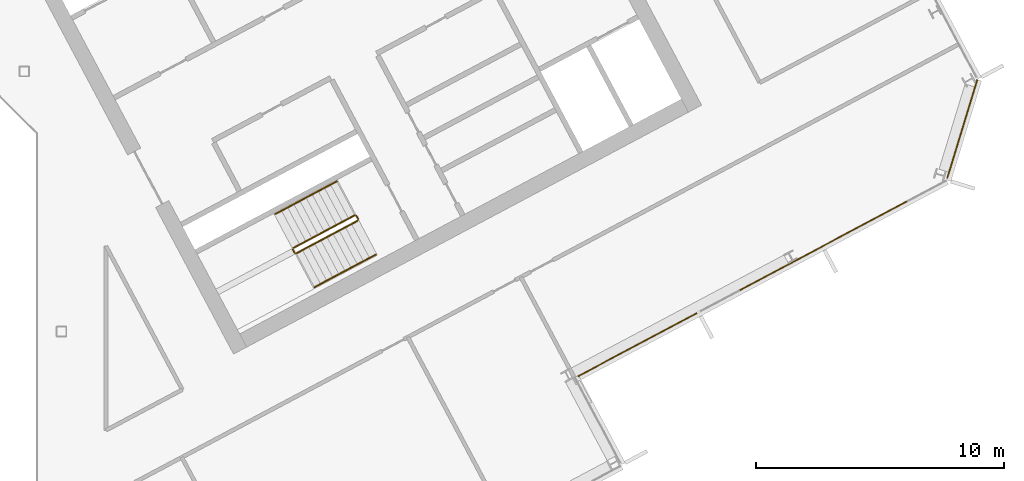
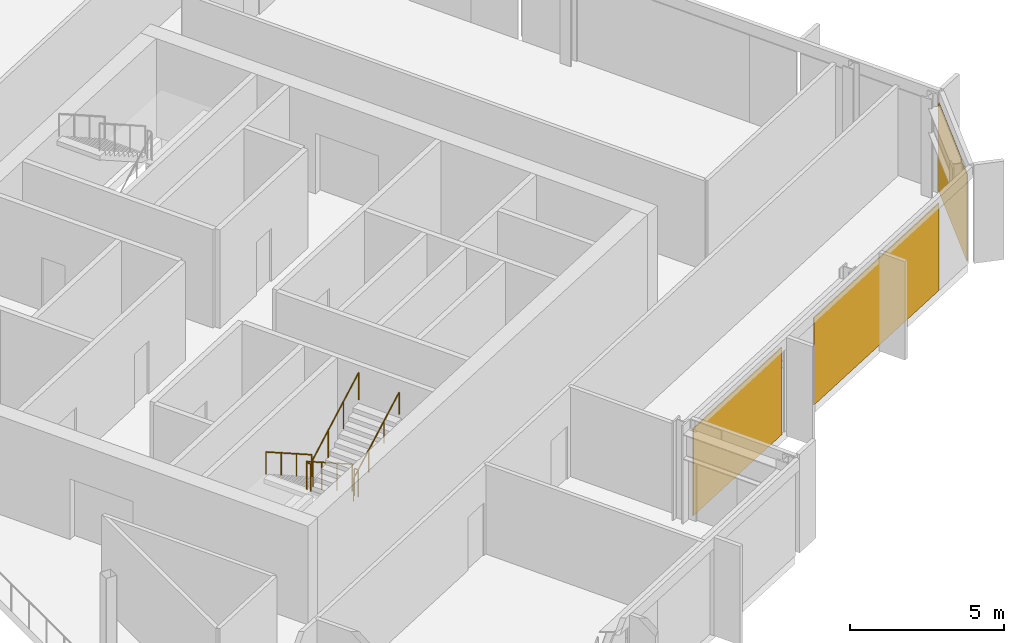
# One storey, part 25 of 27: 6 railings, 3 coverings, 2 elements without a shape of their own.
"""IFC4 building model written with IfcOpenShell, lengths in metres."""

from ifc_helpers import new_model, si_unit, direction, frame, origin, origin_2d, place, context, subcontext, project, spatial, polyline, rectangle, outline, extrude, material, layer, layer_set, type_object, element, aggregate, save


model = new_model("IFC4")

# Units and contexts
model_context = context("Model", 3, precision=1e-05, world=origin(), true_north=direction((0.0, 1.0)))
body_context = subcontext(model_context, "Body", "Model", "MODEL_VIEW")
ifc_project = project(units=[si_unit("LENGTHUNIT", "METRE"), si_unit("AREAUNIT", "SQUARE_METRE"), si_unit("VOLUMEUNIT", "CUBIC_METRE"), si_unit("PLANEANGLEUNIT", "RADIAN"), si_unit("MASSUNIT", "GRAM", prefix="KILO")], contexts=[model_context])

# Site, building, storey
site_placement = place(None, origin())
site = spatial("IfcSite", under=ifc_project, at=site_placement, CompositionType="ELEMENT")
building_placement = place(site_placement, origin())
building = spatial("IfcBuilding", under=site, at=building_placement, Name="Cormorant Relay Tower", CompositionType="ELEMENT")
storey_placement = place(building_placement, frame((0.0, 0.0, 201.300048828125)))
storey = spatial("IfcBuildingStorey", under=building, at=storey_placement, Name="L43", CompositionType="ELEMENT", Elevation=201.300048828125)

# Curtain wall, coverings
ifc_material_1 = material(Name="Aluminium 6063-T6 anodised bronze", Category="aluminium")
ifc_layer_1 = layer(ifc_material_1, 0.199951171875)
ifc_layer_set_1 = layer_set([ifc_layer_1], Name="CW1 unitised bronze curtain wall with vertical fins")
curtain_wall_type = type_object("IfcCurtainWallType", Name="CW1 unitised bronze curtain wall with vertical fins", PredefinedType="NOTDEFINED", material=ifc_layer_set_1)
curtain_wall_1_placement = place(storey_placement, origin())
curtain_wall_1 = element("IfcCurtainWall", 1, at=curtain_wall_1_placement, inside=storey, type_object=curtain_wall_type, Name="CW1 curtain wall 4", PredefinedType="NOTDEFINED")
ifc_material_2 = material(Name="Pale bronze anodised aluminium insulated panel", Category="aluminium")
ifc_layer_2 = layer(ifc_material_2, 0.0400390625)
ifc_layer_set_2 = layer_set([ifc_layer_2], Name="CW1 pale bronze insulated panel 40")
covering_type = type_object("IfcCoveringType", Name="CW1 pale bronze insulated panel 40", PredefinedType="CLADDING", material=ifc_layer_set_2)
covering_1_placement = place(storey_placement, frame((35.247802734375, -0.534912109375, 0.0), z_axis=(0.0, 0.0, 1.0), x_axis=(0.882947592859, 0.469471562786, 0.0)))
covering_1 = element("IfcCovering", 2, at=covering_1_placement, type_object=covering_type, Name="CW1 panel S00", PredefinedType="CLADDING", context=body_context, shape_type="SweptSolid", body=[
    extrude(rectangle(XDim=5.441650390625, YDim=0.0400390625, at=origin_2d()), origin(), (0.0, 0.0, 1.0), 3.449951171875),
])
covering_2_placement = place(storey_placement, frame((42.752685546875, 3.455810546875, 0.0), z_axis=(0.0, 0.0, 1.0), x_axis=(0.882947592859, 0.469471562786, 0.0)))
covering_2 = element("IfcCovering", 3, at=covering_2_placement, type_object=covering_type, Name="CW1 panel S02", PredefinedType="CLADDING", context=body_context, shape_type="SweptSolid", body=[
    extrude(rectangle(XDim=7.658203125, YDim=0.0400390625, at=origin_2d()), origin(), (0.0, 0.0, 1.0), 3.449951171875),
])
aggregate(curtain_wall_1, [covering_1, covering_2])

# Curtain wall, covering
curtain_wall_2_placement = place(storey_placement, origin())
curtain_wall_2 = element("IfcCurtainWall", 4, at=curtain_wall_2_placement, inside=storey, type_object=curtain_wall_type, Name="CW1 curtain wall 5", PredefinedType="NOTDEFINED")
covering_3_placement = place(storey_placement, frame((48.364013671875, 8.1748046875, 0.0), z_axis=(0.0, 0.0, 1.0), x_axis=(0.292371704723, 0.956304755963, 0.0)))
covering_3 = element("IfcCovering", 5, at=covering_3_placement, type_object=covering_type, Name="CW1 panel S00", PredefinedType="CLADDING", context=body_context, shape_type="SweptSolid", body=[
    extrude(rectangle(XDim=4.16748046875, YDim=0.0400390625, at=origin_2d()), origin(), (0.0, 0.0, 1.0), 3.449951171875),
])
aggregate(curtain_wall_2, [covering_3])

# Railings
ifc_material_3 = material(Name="Steel ASTM A572 Grade 50 (Fy 345 MPa)", Category="steel")
railing_type_1 = type_object("IfcRailingType", Name="Stair guard 1100", PredefinedType="GUARDRAIL", material=ifc_material_3)
railing_1_placement = place(storey_placement, frame((23.83837890625, 4.6904296875, 0.17724609375)))
element("IfcRailing", 6, at=railing_1_placement, inside=storey, type_object=railing_type_1, Name="L43 B1 stair guard 1", PredefinedType="GUARDRAIL", context=body_context, shape_type="SweptSolid", body=[
    extrude(outline(polyline([(0.022216796875, 0.00927734375), (0.00927734375, 0.022216796875), (-0.00927734375, 0.022216796875), (-0.022216796875, 0.00927734375), (-0.022216796875, -0.00927734375), (-0.00927734375, -0.022216796875), (0.00927734375, -0.022216796875), (0.022216796875, -0.00927734375), (0.022216796875, 0.00927734375)])), frame((0.0, 0.0, 1.076171875), z_axis=(-0.746033882577, -0.396627473466, 0.534901947407), x_axis=(0.469429322983, -0.882970050864, 0.0)), (0.0, 0.0, 1.0), 3.31396484375),
    extrude(outline(polyline([(0.019287109375, 0.008056640625), (0.008056640625, 0.019287109375), (-0.008056640625, 0.019287109375), (-0.019287109375, 0.008056640625), (-0.019287109375, -0.008056640625), (-0.008056640625, -0.019287109375), (0.008056640625, -0.019287109375), (0.019287109375, -0.008056640625), (0.019287109375, 0.008056640625)])), origin(), (0.0, 0.0, 1.0), 1.052001953125),
    extrude(outline(polyline([(0.019287109375, 0.008056640625), (0.008056640625, 0.019287109375), (-0.008056640625, 0.019287109375), (-0.019287109375, 0.008056640625), (-0.019287109375, -0.008056640625), (-0.008056640625, -0.019287109375), (0.008056640625, -0.019287109375), (0.019287109375, -0.008056640625), (0.019287109375, 0.008056640625)])), frame((-0.82421875, -0.438232421875, 0.5908203125)), (0.0, 0.0, 1.0), 1.052001953125),
    extrude(outline(polyline([(0.019287109375, 0.008056640625), (0.008056640625, 0.019287109375), (-0.008056640625, 0.019287109375), (-0.019287109375, 0.008056640625), (-0.019287109375, -0.008056640625), (-0.008056640625, -0.019287109375), (0.008056640625, -0.019287109375), (0.019287109375, -0.008056640625), (0.019287109375, 0.008056640625)])), frame((-1.648193359375, -0.876220703125, 1.181884765625)), (0.0, 0.0, 1.0), 1.052001953125),
    extrude(outline(polyline([(0.019287109375, 0.008056640625), (0.008056640625, 0.019287109375), (-0.008056640625, 0.019287109375), (-0.019287109375, 0.008056640625), (-0.019287109375, -0.008056640625), (-0.008056640625, -0.019287109375), (0.008056640625, -0.019287109375), (0.019287109375, -0.008056640625), (0.019287109375, 0.008056640625)])), frame((-2.472412109375, -1.314453125, 1.772705078125)), (0.0, 0.0, 1.0), 1.052001953125),
])
railing_2_placement = place(storey_placement, frame((21.345458984375, 3.308349609375, 1.949951171875)))
element("IfcRailing", 7, at=railing_2_placement, inside=storey, type_object=railing_type_1, Name="L43 B1 stair guard 2", PredefinedType="GUARDRAIL", context=body_context, shape_type="SweptSolid", body=[
    extrude(outline(polyline([(0.022216796875, 0.00927734375), (0.00927734375, 0.022216796875), (-0.00927734375, 0.022216796875), (-0.022216796875, 0.00927734375), (-0.022216796875, -0.00927734375), (-0.00927734375, -0.022216796875), (0.00927734375, -0.022216796875), (0.022216796875, -0.00927734375), (0.022216796875, 0.00927734375)])), frame((0.0, 0.0, 1.076171875), z_axis=(0.46856034887, -0.8834314911, 0.0), x_axis=(0.8834314911, 0.46856034887, 0.0)), (0.0, 0.0, 1.0), 0.150146484375),
    extrude(outline(polyline([(0.019287109375, 0.008056640625), (0.008056640625, 0.019287109375), (-0.008056640625, 0.019287109375), (-0.019287109375, 0.008056640625), (-0.019287109375, -0.008056640625), (-0.008056640625, -0.019287109375), (0.008056640625, -0.019287109375), (0.019287109375, -0.008056640625), (0.019287109375, 0.008056640625)])), origin(), (0.0, 0.0, 1.0), 1.052001953125),
    extrude(outline(polyline([(0.019287109375, 0.008056640625), (0.008056640625, 0.019287109375), (-0.008056640625, 0.019287109375), (-0.019287109375, 0.008056640625), (-0.019287109375, -0.008056640625), (-0.008056640625, -0.019287109375), (0.008056640625, -0.019287109375), (0.019287109375, -0.008056640625), (0.019287109375, 0.008056640625)])), frame((0.0703125, -0.132568359375, 0.0)), (0.0, 0.0, 1.0), 1.052001953125),
])
railing_3_placement = place(storey_placement, frame((21.4833984375, 3.1552734375, 2.127197265625)))
element("IfcRailing", 8, at=railing_3_placement, inside=storey, type_object=railing_type_1, Name="L43 B1 stair guard 3", PredefinedType="GUARDRAIL", context=body_context, shape_type="SweptSolid", body=[
    extrude(outline(polyline([(0.022216796875, 0.00927734375), (0.00927734375, 0.022216796875), (-0.00927734375, 0.022216796875), (-0.022216796875, 0.00927734375), (-0.022216796875, -0.00927734375), (-0.00927734375, -0.022216796875), (0.00927734375, -0.022216796875), (0.022216796875, -0.00927734375), (0.022216796875, 0.00927734375)])), frame((0.0, 0.0, 1.076171875), z_axis=(0.746001213114, 0.396649272309, 0.534931345884), x_axis=(-0.469465464807, 0.882950835185, 0.0)), (0.0, 0.0, 1.0), 3.31396484375),
    extrude(outline(polyline([(0.019287109375, 0.008056640625), (0.008056640625, 0.019287109375), (-0.008056640625, 0.019287109375), (-0.019287109375, 0.008056640625), (-0.019287109375, -0.008056640625), (-0.008056640625, -0.019287109375), (0.008056640625, -0.019287109375), (0.019287109375, -0.008056640625), (0.019287109375, 0.008056640625)])), origin(), (0.0, 0.0, 1.0), 1.052001953125),
    extrude(outline(polyline([(0.019287109375, 0.008056640625), (0.008056640625, 0.019287109375), (-0.008056640625, 0.019287109375), (-0.019287109375, 0.008056640625), (-0.019287109375, -0.008056640625), (-0.008056640625, -0.019287109375), (0.008056640625, -0.019287109375), (0.019287109375, -0.008056640625), (0.019287109375, 0.008056640625)])), frame((0.823974609375, 0.438232421875, 0.5908203125)), (0.0, 0.0, 1.0), 1.052001953125),
    extrude(outline(polyline([(0.019287109375, 0.008056640625), (0.008056640625, 0.019287109375), (-0.008056640625, 0.019287109375), (-0.019287109375, 0.008056640625), (-0.019287109375, -0.008056640625), (-0.008056640625, -0.019287109375), (0.008056640625, -0.019287109375), (0.019287109375, -0.008056640625), (0.019287109375, 0.008056640625)])), frame((1.648193359375, 0.876220703125, 1.181884765625)), (0.0, 0.0, 1.0), 1.052001953125),
    extrude(outline(polyline([(0.019287109375, 0.008056640625), (0.008056640625, 0.019287109375), (-0.008056640625, 0.019287109375), (-0.019287109375, 0.008056640625), (-0.019287109375, -0.008056640625), (-0.008056640625, -0.019287109375), (0.008056640625, -0.019287109375), (0.019287109375, -0.008056640625), (0.019287109375, 0.008056640625)])), frame((2.47216796875, 1.314453125, 1.772705078125)), (0.0, 0.0, 1.0), 1.052001953125),
])
railing_4_placement = place(storey_placement, frame((23.906005859375, 4.669677734375, 0.0)))
element("IfcRailing", 9, at=railing_4_placement, inside=storey, type_object=railing_type_1, Name="L43 B1 stair guard 4", PredefinedType="GUARDRAIL", context=body_context, shape_type="SweptSolid", body=[
    extrude(outline(polyline([(0.022216796875, 0.00927734375), (0.00927734375, 0.022216796875), (-0.00927734375, 0.022216796875), (-0.022216796875, 0.00927734375), (-0.022216796875, -0.00927734375), (-0.00927734375, -0.022216796875), (0.00927734375, -0.022216796875), (0.022216796875, -0.00927734375), (0.022216796875, 0.00927734375)])), frame((0.0, 0.0, 1.076171875), z_axis=(0.469234640946, -0.883073525669, 0.0), x_axis=(0.883073525669, 0.469234640946, 0.0)), (0.0, 0.0, 1.0), 0.14990234375),
    extrude(outline(polyline([(0.019287109375, 0.008056640625), (0.008056640625, 0.019287109375), (-0.008056640625, 0.019287109375), (-0.019287109375, 0.008056640625), (-0.019287109375, -0.008056640625), (-0.008056640625, -0.019287109375), (0.008056640625, -0.019287109375), (0.019287109375, -0.008056640625), (0.019287109375, 0.008056640625)])), origin(), (0.0, 0.0, 1.0), 1.052001953125),
    extrude(outline(polyline([(0.019287109375, 0.008056640625), (0.008056640625, 0.019287109375), (-0.008056640625, 0.019287109375), (-0.019287109375, 0.008056640625), (-0.019287109375, -0.008056640625), (-0.008056640625, -0.019287109375), (0.008056640625, -0.019287109375), (0.019287109375, -0.008056640625), (0.019287109375, 0.008056640625)])), frame((0.0703125, -0.13232421875, 0.0)), (0.0, 0.0, 1.0), 1.052001953125),
])
ifc_material_4 = material(Name="Steel ASTM A572 Grade 50 (Fy 345 MPa)", Category="steel")
railing_type_2 = type_object("IfcRailingType", Name="Stair handrail 900", PredefinedType="HANDRAIL", material=ifc_material_4)
railing_5_placement = place(storey_placement, frame((23.110595703125, 6.05908203125, 0.17724609375)))
element("IfcRailing", 10, at=railing_5_placement, inside=storey, type_object=railing_type_2, Name="L43 B1 stair handrail 1", PredefinedType="HANDRAIL", context=body_context, shape_type="SweptSolid", body=[
    extrude(outline(polyline([(0.022216796875, 0.00927734375), (0.00927734375, 0.022216796875), (-0.00927734375, 0.022216796875), (-0.022216796875, 0.00927734375), (-0.022216796875, -0.00927734375), (-0.00927734375, -0.022216796875), (0.00927734375, -0.022216796875), (0.022216796875, -0.00927734375), (0.022216796875, 0.00927734375)])), frame((0.0, 0.0, 0.8759765625), z_axis=(-0.745979412481, -0.396711350603, 0.534915713414), x_axis=(0.469533439143, -0.882914689835, 0.0)), (0.0, 0.0, 1.0), 3.31396484375),
    extrude(outline(polyline([(0.019287109375, 0.008056640625), (0.008056640625, 0.019287109375), (-0.008056640625, 0.019287109375), (-0.019287109375, 0.008056640625), (-0.019287109375, -0.008056640625), (-0.008056640625, -0.019287109375), (0.008056640625, -0.019287109375), (0.019287109375, -0.008056640625), (0.019287109375, 0.008056640625)])), origin(), (0.0, 0.0, 1.0), 0.851806640625),
    extrude(outline(polyline([(0.019287109375, 0.008056640625), (0.008056640625, 0.019287109375), (-0.008056640625, 0.019287109375), (-0.019287109375, 0.008056640625), (-0.019287109375, -0.008056640625), (-0.008056640625, -0.019287109375), (0.008056640625, -0.019287109375), (0.019287109375, -0.008056640625), (0.019287109375, 0.008056640625)])), frame((-0.823974609375, -0.438232421875, 0.5908203125)), (0.0, 0.0, 1.0), 0.851806640625),
    extrude(outline(polyline([(0.019287109375, 0.008056640625), (0.008056640625, 0.019287109375), (-0.008056640625, 0.019287109375), (-0.019287109375, 0.008056640625), (-0.019287109375, -0.008056640625), (-0.008056640625, -0.019287109375), (0.008056640625, -0.019287109375), (0.019287109375, -0.008056640625), (0.019287109375, 0.008056640625)])), frame((-1.648193359375, -0.87646484375, 1.181884765625)), (0.0, 0.0, 1.0), 0.851806640625),
    extrude(outline(polyline([(0.019287109375, 0.008056640625), (0.008056640625, 0.019287109375), (-0.008056640625, 0.019287109375), (-0.019287109375, 0.008056640625), (-0.019287109375, -0.008056640625), (-0.008056640625, -0.019287109375), (0.008056640625, -0.019287109375), (0.019287109375, -0.008056640625), (0.019287109375, 0.008056640625)])), frame((-2.47216796875, -1.314697265625, 1.772705078125)), (0.0, 0.0, 1.0), 0.851806640625),
])
railing_6_placement = place(storey_placement, frame((22.211181640625, 1.78662109375, 2.127197265625)))
element("IfcRailing", 11, at=railing_6_placement, inside=storey, type_object=railing_type_2, Name="L43 B1 stair handrail 2", PredefinedType="HANDRAIL", context=body_context, shape_type="SweptSolid", body=[
    extrude(outline(polyline([(0.022216796875, 0.00927734375), (0.00927734375, 0.022216796875), (-0.00927734375, 0.022216796875), (-0.022216796875, 0.00927734375), (-0.022216796875, -0.00927734375), (-0.00927734375, -0.022216796875), (0.00927734375, -0.022216796875), (0.022216796875, -0.00927734375), (0.022216796875, 0.00927734375)])), frame((0.0, 0.0, 0.8759765625), z_axis=(0.746001213114, 0.396649272309, 0.534931345884), x_axis=(-0.469465464807, 0.882950835185, 0.0)), (0.0, 0.0, 1.0), 3.31396484375),
    extrude(outline(polyline([(0.019287109375, 0.008056640625), (0.008056640625, 0.019287109375), (-0.008056640625, 0.019287109375), (-0.019287109375, 0.008056640625), (-0.019287109375, -0.008056640625), (-0.008056640625, -0.019287109375), (0.008056640625, -0.019287109375), (0.019287109375, -0.008056640625), (0.019287109375, 0.008056640625)])), origin(), (0.0, 0.0, 1.0), 0.851806640625),
    extrude(outline(polyline([(0.019287109375, 0.008056640625), (0.008056640625, 0.019287109375), (-0.008056640625, 0.019287109375), (-0.019287109375, 0.008056640625), (-0.019287109375, -0.008056640625), (-0.008056640625, -0.019287109375), (0.008056640625, -0.019287109375), (0.019287109375, -0.008056640625), (0.019287109375, 0.008056640625)])), frame((0.823974609375, 0.438232421875, 0.5908203125)), (0.0, 0.0, 1.0), 0.851806640625),
    extrude(outline(polyline([(0.019287109375, 0.008056640625), (0.008056640625, 0.019287109375), (-0.008056640625, 0.019287109375), (-0.019287109375, 0.008056640625), (-0.019287109375, -0.008056640625), (-0.008056640625, -0.019287109375), (0.008056640625, -0.019287109375), (0.019287109375, -0.008056640625), (0.019287109375, 0.008056640625)])), frame((1.648193359375, 0.876220703125, 1.181884765625)), (0.0, 0.0, 1.0), 0.851806640625),
    extrude(outline(polyline([(0.019287109375, 0.008056640625), (0.008056640625, 0.019287109375), (-0.008056640625, 0.019287109375), (-0.019287109375, 0.008056640625), (-0.019287109375, -0.008056640625), (-0.008056640625, -0.019287109375), (0.008056640625, -0.019287109375), (0.019287109375, -0.008056640625), (0.019287109375, 0.008056640625)])), frame((2.47216796875, 1.314453125, 1.772705078125)), (0.0, 0.0, 1.0), 0.851806640625),
])

save(model, "model.ifc")
